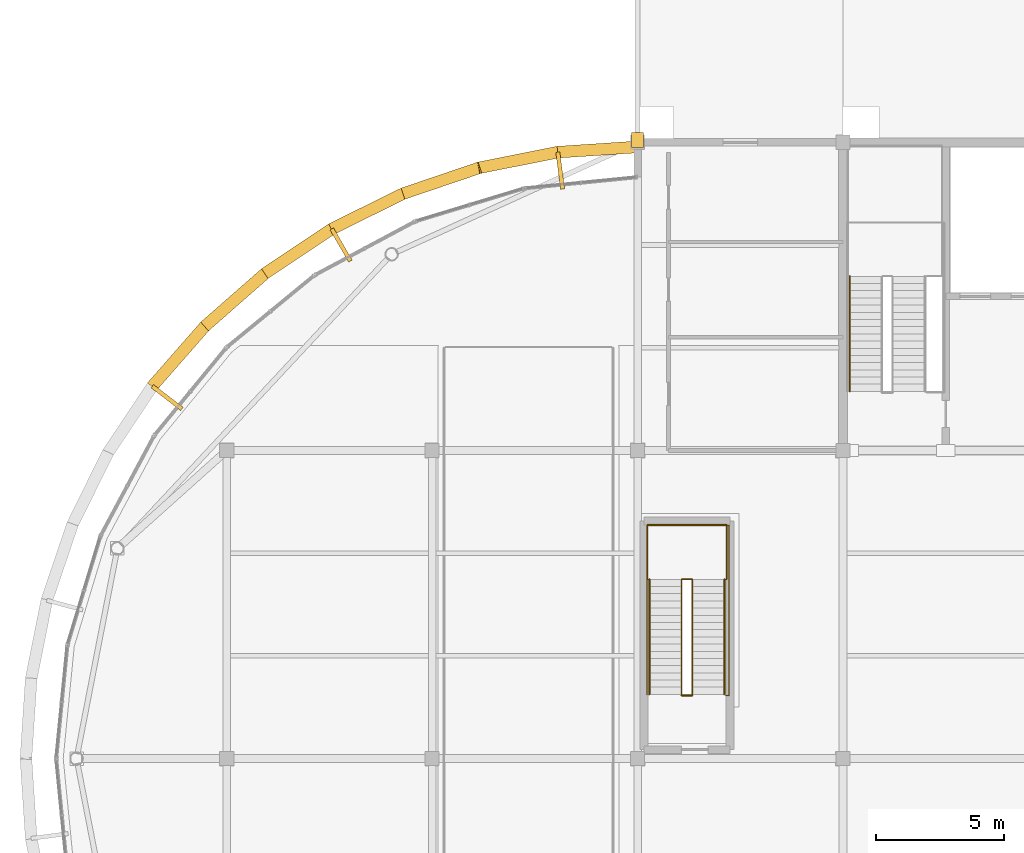
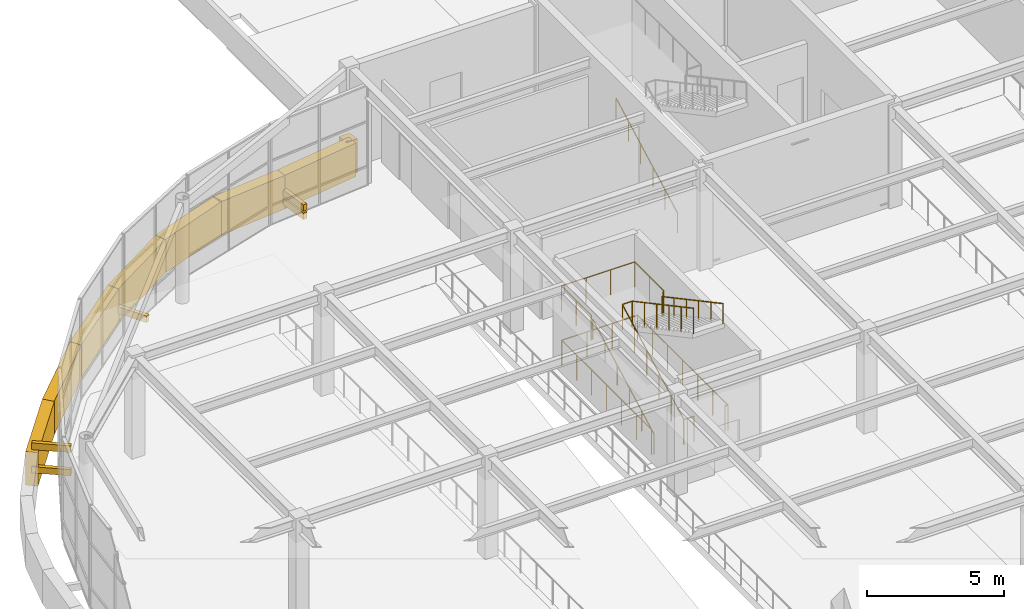
# One storey, part 63 of 72: 13 coverings, 7 railings.
"""IFC4 building model written with IfcOpenShell, lengths in metres."""

from ifc_helpers import new_model, si_unit, direction, frame, frame_2d, origin, origin_2d, place, context, subcontext, project, spatial, polyline, rectangle, circle, outline, extrude, material, layer, layer_set, type_object, element, save


model = new_model("IFC4")

# Units and contexts
model_context = context("Model", 3, precision=1e-05, world=origin(), true_north=direction((0.0, 1.0)))
body_context = subcontext(model_context, "Body", "Model", "MODEL_VIEW")
ifc_project = project(units=[si_unit("LENGTHUNIT", "METRE"), si_unit("AREAUNIT", "SQUARE_METRE"), si_unit("VOLUMEUNIT", "CUBIC_METRE"), si_unit("PLANEANGLEUNIT", "RADIAN"), si_unit("MASSUNIT", "GRAM", prefix="KILO")], contexts=[model_context])

# Site, building, storey
site_placement = place(None, origin())
site = spatial("IfcSite", under=ifc_project, at=site_placement, CompositionType="ELEMENT")
building_placement = place(site_placement, origin())
building = spatial("IfcBuilding", under=site, at=building_placement, Name="Keelwater Ferry Terminal", CompositionType="ELEMENT")
storey_placement = place(building_placement, frame((0.0, 0.0, 5.39990234375)))
storey = spatial("IfcBuildingStorey", under=building, at=storey_placement, Name="L01", CompositionType="ELEMENT", Elevation=5.39990234375)

# Railings
ifc_material_1 = material(Name="Painted Steel S355", Category="steel")
railing_type_1 = type_object("IfcRailingType", Name="GR-115 Stair Well Guardrail", PredefinedType="GUARDRAIL", material=ifc_material_1)
railing_1_placement = place(storey_placement, frame((25.7099609375, 68.4599609375, 0.0)))
element("IfcRailing", 1, at=railing_1_placement, inside=storey, type_object=railing_type_1, Name="Stair ST-W6-L00 Slot Threshold Guard 108", PredefinedType="GUARDRAIL", context=body_context, shape_type="SweptSolid", body=[
    extrude(circle(Radius=0.02392578125, at=origin_2d()), frame((0.0, 0.0, 1.1259765625), z_axis=(1.0, 0.0, 0.0), x_axis=(0.0, 1.0, 0.0)), (0.0, 0.0, 1.0), 0.419921875),
    extrude(circle(Radius=0.02099609375, at=origin_2d()), origin(), (0.0, 0.0, 1.0), 1.101806640625),
    extrude(circle(Radius=0.02099609375, at=origin_2d()), frame((0.419921875, 0.0, 0.0)), (0.0, 0.0, 1.0), 1.101806640625),
])
railing_2_placement = place(storey_placement, frame((24.360107421875, 68.5, 0.0)))
element("IfcRailing", 2, at=railing_2_placement, inside=storey, type_object=railing_type_1, Name="Stair ST-W6-L00 Shaft Perimeter Guard 109", PredefinedType="GUARDRAIL", context=body_context, shape_type="SweptSolid", body=[
    extrude(circle(Radius=0.02392578125, at=origin_2d()), frame((0.0, 0.0, 1.1259765625), z_axis=(0.0, 1.0, 0.0), x_axis=(-1.0, 0.0, 0.0)), (0.0, 0.0, 1.0), 6.580078125),
    extrude(circle(Radius=0.02392578125, at=origin_2d()), frame((0.0, 6.580078125, 1.1259765625), z_axis=(1.0, 0.0, 0.0), x_axis=(0.0, 1.0, 0.0)), (0.0, 0.0, 1.0), 3.199951171875),
    extrude(circle(Radius=0.02392578125, at=origin_2d()), frame((3.199951171875, 6.580078125, 1.1259765625), z_axis=(0.0, -1.0, 0.0), x_axis=(1.0, 0.0, 0.0)), (0.0, 0.0, 1.0), 6.6201171875),
    extrude(circle(Radius=0.02392578125, at=origin_2d()), frame((3.199951171875, -0.0400390625, 1.1259765625), z_axis=(-1.0, 0.0, 0.0), x_axis=(0.0, -1.0, 0.0)), (0.0, 0.0, 1.0), 0.1201171875),
    extrude(circle(Radius=0.02099609375, at=origin_2d()), origin(), (0.0, 0.0, 1.0), 1.101806640625),
    extrude(circle(Radius=0.02099609375, at=origin_2d()), frame((0.0, 1.0966796875, 0.0)), (0.0, 0.0, 1.0), 1.101806640625),
    extrude(circle(Radius=0.02099609375, at=origin_2d()), frame((0.0, 2.193359375, 0.0)), (0.0, 0.0, 1.0), 1.101806640625),
    extrude(circle(Radius=0.02099609375, at=origin_2d()), frame((0.0, 3.2900390625, 0.0)), (0.0, 0.0, 1.0), 1.101806640625),
    extrude(circle(Radius=0.02099609375, at=origin_2d()), frame((0.0, 4.38671875, 0.0)), (0.0, 0.0, 1.0), 1.101806640625),
    extrude(circle(Radius=0.02099609375, at=origin_2d()), frame((0.0, 5.4833984375, 0.0)), (0.0, 0.0, 1.0), 1.101806640625),
    extrude(circle(Radius=0.02099609375, at=origin_2d()), frame((0.0, 6.580078125, 0.0)), (0.0, 0.0, 1.0), 1.101806640625),
    extrude(circle(Radius=0.02099609375, at=origin_2d()), frame((1.066650390625, 6.580078125, 0.0)), (0.0, 0.0, 1.0), 1.101806640625),
    extrude(circle(Radius=0.02099609375, at=origin_2d()), frame((2.13330078125, 6.580078125, 0.0)), (0.0, 0.0, 1.0), 1.101806640625),
    extrude(circle(Radius=0.02099609375, at=origin_2d()), frame((3.199951171875, 6.580078125, 0.0)), (0.0, 0.0, 1.0), 1.101806640625),
    extrude(circle(Radius=0.02099609375, at=origin_2d()), frame((3.199951171875, 5.476806640625, 0.0)), (0.0, 0.0, 1.0), 1.101806640625),
    extrude(circle(Radius=0.02099609375, at=origin_2d()), frame((3.199951171875, 4.373291015625, 0.0)), (0.0, 0.0, 1.0), 1.101806640625),
    extrude(circle(Radius=0.02099609375, at=origin_2d()), frame((3.199951171875, 3.27001953125, 0.0)), (0.0, 0.0, 1.0), 1.101806640625),
    extrude(circle(Radius=0.02099609375, at=origin_2d()), frame((3.199951171875, 2.166748046875, 0.0)), (0.0, 0.0, 1.0), 1.101806640625),
    extrude(circle(Radius=0.02099609375, at=origin_2d()), frame((3.199951171875, 1.063232421875, 0.0)), (0.0, 0.0, 1.0), 1.101806640625),
    extrude(circle(Radius=0.02099609375, at=origin_2d()), frame((3.199951171875, -0.0400390625, 0.0)), (0.0, 0.0, 1.0), 1.101806640625),
    extrude(circle(Radius=0.02099609375, at=origin_2d()), frame((3.079833984375, -0.0400390625, 0.0)), (0.0, 0.0, 1.0), 1.101806640625),
])
railing_3_placement = place(storey_placement, frame((25.7099609375, 68.5, 0.0)))
element("IfcRailing", 3, at=railing_3_placement, inside=storey, type_object=railing_type_1, Name="Stair ST-W6-L01 Inner Well Guard 110", PredefinedType="GUARDRAIL", context=body_context, shape_type="SweptSolid", body=[
    extrude(circle(Radius=0.02392578125, at=origin_2d()), frame((0.0, 0.0, 1.1259765625), z_axis=(0.0, 0.881467115574, 0.472245406714), x_axis=(-1.0, 0.0, 0.0)), (0.0, 0.0, 1.0), 5.08251953125),
    extrude(circle(Radius=0.02392578125, at=origin_2d()), frame((0.0, 4.47998046875, 3.52587890625), z_axis=(1.0, 0.0, 0.0), x_axis=(0.0, 1.0, 0.0)), (0.0, 0.0, 1.0), 0.419921875),
    extrude(circle(Radius=0.02392578125, at=origin_2d()), frame((0.419921875, 4.47998046875, 3.52587890625), z_axis=(0.0, -0.881487111273, 0.472208081951), x_axis=(1.0, 0.0, 0.0)), (0.0, 0.0, 1.0), 5.082275390625),
    extrude(circle(Radius=0.02099609375, at=origin_2d()), origin(), (0.0, 0.0, 1.0), 1.101806640625),
    extrude(circle(Radius=0.02099609375, at=origin_2d()), frame((0.0, 0.89599609375, 0.47998046875)), (0.0, 0.0, 1.0), 1.101806640625),
    extrude(circle(Radius=0.02099609375, at=origin_2d()), frame((0.0, 1.7919921875, 0.9599609375)), (0.0, 0.0, 1.0), 1.101806640625),
    extrude(circle(Radius=0.02099609375, at=origin_2d()), frame((0.0, 2.68798828125, 1.440185546875)), (0.0, 0.0, 1.0), 1.101806640625),
    extrude(circle(Radius=0.02099609375, at=origin_2d()), frame((0.0, 3.583984375, 1.920166015625)), (0.0, 0.0, 1.0), 1.101806640625),
    extrude(circle(Radius=0.02099609375, at=origin_2d()), frame((0.0, 4.47998046875, 2.400146484375)), (0.0, 0.0, 1.0), 1.101806640625),
    extrude(circle(Radius=0.02099609375, at=origin_2d()), frame((0.419921875, 4.47998046875, 2.400146484375)), (0.0, 0.0, 1.0), 1.101806640625),
    extrude(circle(Radius=0.02099609375, at=origin_2d()), frame((0.419921875, 3.583984375, 2.880126953125)), (0.0, 0.0, 1.0), 1.101806640625),
    extrude(circle(Radius=0.02099609375, at=origin_2d()), frame((0.419921875, 2.68798828125, 3.360107421875)), (0.0, 0.0, 1.0), 1.101806640625),
    extrude(circle(Radius=0.02099609375, at=origin_2d()), frame((0.419921875, 1.7919921875, 3.840087890625)), (0.0, 0.0, 1.0), 1.101806640625),
    extrude(circle(Radius=0.02099609375, at=origin_2d()), frame((0.419921875, 0.89599609375, 4.320068359375)), (0.0, 0.0, 1.0), 1.101806640625),
    extrude(circle(Radius=0.02099609375, at=origin_2d()), frame((0.419921875, 0.0, 4.800048828125)), (0.0, 0.0, 1.0), 1.101806640625),
])
railing_4_placement = place(storey_placement, frame((24.39990234375, 72.97998046875, 2.400146484375)))
element("IfcRailing", 4, at=railing_4_placement, inside=storey, type_object=railing_type_1, Name="Stair ST-W6-L01 Half-Landing Guard 111", PredefinedType="GUARDRAIL", context=body_context, shape_type="SweptSolid", body=[
    extrude(circle(Radius=0.02392578125, at=origin_2d()), frame((0.0, 0.0, 1.1259765625), z_axis=(-1.0, 0.0, 0.0), x_axis=(0.0, -1.0, 0.0)), (0.0, 0.0, 1.0), 0.02001953125),
    extrude(circle(Radius=0.02392578125, at=origin_2d()), frame((-0.02001953125, 0.0, 1.1259765625), z_axis=(0.0, 1.0, 0.0), x_axis=(-1.0, 0.0, 0.0)), (0.0, 0.0, 1.0), 2.14013671875),
    extrude(circle(Radius=0.02392578125, at=origin_2d()), frame((-0.02001953125, 2.14013671875, 1.1259765625), z_axis=(1.0, 0.0, 0.0), x_axis=(0.0, 1.0, 0.0)), (0.0, 0.0, 1.0), 3.090087890625),
    extrude(circle(Radius=0.02392578125, at=origin_2d()), frame((3.070068359375, 2.14013671875, 1.1259765625), z_axis=(0.0, -1.0, 0.0), x_axis=(1.0, 0.0, 0.0)), (0.0, 0.0, 1.0), 2.14013671875),
    extrude(circle(Radius=0.02392578125, at=origin_2d()), frame((3.070068359375, 0.0, 1.1259765625), z_axis=(-1.0, 0.0, 0.0), x_axis=(0.0, -1.0, 0.0)), (0.0, 0.0, 1.0), 0.030029296875),
    extrude(circle(Radius=0.02099609375, at=origin_2d()), origin(), (0.0, 0.0, 1.0), 1.101806640625),
    extrude(circle(Radius=0.02099609375, at=origin_2d()), frame((-0.02001953125, 0.0, 0.0)), (0.0, 0.0, 1.0), 1.101806640625),
    extrude(circle(Radius=0.02099609375, at=origin_2d()), frame((-0.02001953125, 1.070068359375, 0.0)), (0.0, 0.0, 1.0), 1.101806640625),
    extrude(circle(Radius=0.02099609375, at=origin_2d()), frame((-0.02001953125, 2.14013671875, 0.0)), (0.0, 0.0, 1.0), 1.101806640625),
    extrude(circle(Radius=0.02099609375, at=origin_2d()), frame((1.010009765625, 2.14013671875, 0.0)), (0.0, 0.0, 1.0), 1.101806640625),
    extrude(circle(Radius=0.02099609375, at=origin_2d()), frame((2.0400390625, 2.14013671875, 0.0)), (0.0, 0.0, 1.0), 1.101806640625),
    extrude(circle(Radius=0.02099609375, at=origin_2d()), frame((3.070068359375, 2.14013671875, 0.0)), (0.0, 0.0, 1.0), 1.101806640625),
    extrude(circle(Radius=0.02099609375, at=origin_2d()), frame((3.070068359375, 1.070068359375, 0.0)), (0.0, 0.0, 1.0), 1.101806640625),
    extrude(circle(Radius=0.02099609375, at=origin_2d()), frame((3.070068359375, 0.0, 0.0)), (0.0, 0.0, 1.0), 1.101806640625),
    extrude(circle(Radius=0.02099609375, at=origin_2d()), frame((3.0400390625, 0.0, 0.0)), (0.0, 0.0, 1.0), 1.101806640625),
])
ifc_material_2 = material(Name="Brushed stainless steel handrail", Category="steel")
railing_type_2 = type_object("IfcRailingType", Name="HR-920 Stair Pitch Handrail", PredefinedType="HANDRAIL", material=ifc_material_2)
for number, where, name in (
    (5, (32.260009765625, 80.300048828125, 0.0), "Stair ST-C1-L01 Flight 1 Handrail 9"),
    (6, (24.4599609375, 68.5, 0.0), "Stair ST-W6-L01 Flight 1 Handrail 112"),
):
    element("IfcRailing", number, at=place(storey_placement, frame(where)), inside=storey, type_object=railing_type_2, Name=name, PredefinedType="HANDRAIL", context=body_context, shape_type="SweptSolid", body=[
        extrude(circle(Radius=0.02392578125, at=origin_2d()), frame((0.0, 0.0, 0.89599609375), z_axis=(0.0, 0.881467115574, 0.472245406714), x_axis=(-1.0, 0.0, 0.0)), (0.0, 0.0, 1.0), 5.08251953125),
        extrude(circle(Radius=0.02099609375, at=origin_2d()), origin(), (0.0, 0.0, 1.0), 0.871826171875),
        extrude(circle(Radius=0.02099609375, at=origin_2d()), frame((0.0, 0.89599609375, 0.47998046875)), (0.0, 0.0, 1.0), 0.871826171875),
        extrude(circle(Radius=0.02099609375, at=origin_2d()), frame((0.0, 1.7919921875, 0.9599609375)), (0.0, 0.0, 1.0), 0.871826171875),
        extrude(circle(Radius=0.02099609375, at=origin_2d()), frame((0.0, 2.68798828125, 1.440185546875)), (0.0, 0.0, 1.0), 0.871826171875),
        extrude(circle(Radius=0.02099609375, at=origin_2d()), frame((0.0, 3.583984375, 1.920166015625)), (0.0, 0.0, 1.0), 0.871826171875),
        extrude(circle(Radius=0.02099609375, at=origin_2d()), frame((0.0, 4.47998046875, 2.400146484375)), (0.0, 0.0, 1.0), 0.871826171875),
    ])
railing_5_placement = place(storey_placement, frame((27.3798828125, 72.97998046875, 2.400146484375)))
element("IfcRailing", 7, at=railing_5_placement, inside=storey, type_object=railing_type_2, Name="Stair ST-W6-L01 Flight 2 Handrail 113", PredefinedType="HANDRAIL", context=body_context, shape_type="SweptSolid", body=[
    extrude(circle(Radius=0.02392578125, at=origin_2d()), frame((0.0, 0.0, 0.89599609375), z_axis=(0.0, -0.881487111273, 0.472208081951), x_axis=(1.0, 0.0, 0.0)), (0.0, 0.0, 1.0), 5.082275390625),
    extrude(circle(Radius=0.02099609375, at=origin_2d()), origin(), (0.0, 0.0, 1.0), 0.871826171875),
    extrude(circle(Radius=0.02099609375, at=origin_2d()), frame((0.0, -0.89599609375, 0.47998046875)), (0.0, 0.0, 1.0), 0.871826171875),
    extrude(circle(Radius=0.02099609375, at=origin_2d()), frame((0.0, -1.7919921875, 0.9599609375)), (0.0, 0.0, 1.0), 0.871826171875),
    extrude(circle(Radius=0.02099609375, at=origin_2d()), frame((0.0, -2.68798828125, 1.43994140625)), (0.0, 0.0, 1.0), 0.871826171875),
    extrude(circle(Radius=0.02099609375, at=origin_2d()), frame((0.0, -3.583984375, 1.919921875)), (0.0, 0.0, 1.0), 0.871826171875),
    extrude(circle(Radius=0.02099609375, at=origin_2d()), frame((0.0, -4.47998046875, 2.39990234375)), (0.0, 0.0, 1.0), 0.871826171875),
])

# Coverings
ifc_material_3 = material(Name="Matte white architectural aluminium fascia ribbon", Category="aluminium")
ifc_layer = layer(ifc_material_3, 0.1201171875)
ifc_layer_set = layer_set([ifc_layer], Name="Matte white architectural aluminium fascia ribbon")
covering_type = type_object("IfcCoveringType", Name="RB-WHT Matte White Fascia Ribbon", PredefinedType="CLADDING", material=ifc_layer_set)
covering_1_placement = place(storey_placement, frame((24.0, 90.375, -0.348876953125), z_axis=(0.0, 0.0, 1.0), x_axis=(0.0, -1.0, 0.0)))
element("IfcCovering", 8, at=covering_1_placement, inside=storey, type_object=covering_type, Name="Concourse Lower Wave Fascia Ribbon 156", PredefinedType="CLADDING", context=body_context, shape_type="SweptSolid", body=[
    extrude(outline(polyline([(0.0, 0.0), (0.580078125, 0.097900390625), (0.580078125, 1.597900390625), (0.0, 1.5), (0.0, 0.0)])), frame((0.0, 0.22998046875, 0.0), z_axis=(0.0, -1.0, 0.0), x_axis=(1.0, 0.0, 0.0)), (0.0, 0.0, 1.0), 0.4599609375),
])
covering_2_placement = place(storey_placement, frame((24.02490234375, 89.822021484375, -0.48291015625), z_axis=(0.0, 0.0, 1.0), x_axis=(-0.997839082041, -0.065705147067, 0.0)))
element("IfcCovering", 9, at=covering_2_placement, inside=storey, type_object=covering_type, Name="Concourse Lower Wave Fascia Ribbon 160", PredefinedType="CLADDING", context=body_context, shape_type="SweptSolid", body=[
    extrude(outline(polyline([(0.0, 0.23193359375), (3.165771484375, 0.0), (3.165771484375, 1.5), (0.0, 1.73193359375), (0.0, 0.23193359375)])), frame((0.0, 0.22998046875, 0.0), z_axis=(0.0, -1.0, 0.0), x_axis=(1.0, 0.0, 0.0)), (0.0, 0.0, 1.0), 0.4599609375),
])
covering_3_placement = place(storey_placement, frame((20.916015625, 89.62109375, -0.48291015625), z_axis=(0.0, 0.0, 1.0), x_axis=(-0.98076407959, -0.195196875454, 0.0)))
element("IfcCovering", 10, at=covering_3_placement, inside=storey, type_object=covering_type, Name="Concourse Lower Wave Fascia Ribbon 164", PredefinedType="CLADDING", context=body_context, shape_type="SweptSolid", body=[
    extrude(outline(polyline([(0.0, 0.0), (3.1669921875, 0.258056640625), (3.1669921875, 1.758056640625), (0.0, 1.5), (0.0, 0.0)])), frame((0.0, 0.22998046875, 0.0), z_axis=(0.0, -1.0, 0.0), x_axis=(1.0, 0.0, 0.0)), (0.0, 0.0, 1.0), 0.4599609375),
])
covering_4_placement = place(storey_placement, frame((20.89111328125, 89.615966796875, 0.127197265625), z_axis=(0.0, 0.0, 1.0), x_axis=(0.130289043397, -0.991476053756, 0.0)))
element("IfcCovering", 11, at=covering_4_placement, inside=storey, type_object=covering_type, Name="Ribbon Horizontal Tie Bracket 168", PredefinedType="CLADDING", context=body_context, shape_type="SweptSolid", body=[
    extrude(rectangle(XDim=1.450439453125, YDim=0.159912109375, at=frame_2d((0.72509765625, 0.0))), origin(), (0.0, 0.0, 1.0), 0.27978515625),
])
covering_5_placement = place(storey_placement, frame((20.89111328125, 89.615966796875, -0.25), z_axis=(0.0, 0.0, 1.0), x_axis=(0.130289043397, -0.991476053756, 0.0)))
element("IfcCovering", 12, at=covering_5_placement, inside=storey, type_object=covering_type, Name="Ribbon Slab Tie Bracket 170", PredefinedType="CLADDING", context=body_context, shape_type="SweptSolid", body=[
    extrude(rectangle(XDim=1.450439453125, YDim=0.159912109375, at=frame_2d((0.72509765625, 0.0))), origin(), (0.0, 0.0, 1.0), 0.300048828125),
])
covering_6_placement = place(storey_placement, frame((17.85888671875, 89.01611328125, -0.27978515625), z_axis=(0.0, 0.0, 1.0), x_axis=(-0.94701262585, -0.321196336342, 0.0)))
element("IfcCovering", 13, at=covering_6_placement, inside=storey, type_object=covering_type, Name="Concourse Lower Wave Fascia Ribbon 175", PredefinedType="CLADDING", context=body_context, shape_type="SweptSolid", body=[
    extrude(outline(polyline([(0.0, 0.054931640625), (3.16650390625, 0.0), (3.16650390625, 1.5), (0.0, 1.554931640625), (0.0, 0.054931640625)])), frame((0.0, 0.22998046875, 0.0), z_axis=(0.0, -1.0, 0.0), x_axis=(1.0, 0.0, 0.0)), (0.0, 0.0, 1.0), 0.4599609375),
])
covering_7_placement = place(storey_placement, frame((14.906005859375, 88.01806640625, -0.677978515625), z_axis=(0.0, 0.0, 1.0), x_axis=(-0.896790782987, -0.442454846905, 0.0)))
element("IfcCovering", 14, at=covering_7_placement, inside=storey, type_object=covering_type, Name="Concourse Lower Wave Fascia Ribbon 179", PredefinedType="CLADDING", context=body_context, shape_type="SweptSolid", body=[
    extrude(outline(polyline([(0.0, 0.398193359375), (3.16455078125, 0.0), (3.16455078125, 1.5), (0.0, 1.898193359375), (0.0, 0.398193359375)])), frame((0.0, 0.22998046875, 0.0), z_axis=(0.0, -1.0, 0.0), x_axis=(1.0, 0.0, 0.0)), (0.0, 0.0, 1.0), 0.4599609375),
])
covering_8_placement = place(storey_placement, frame((12.111083984375, 86.64306640625, -1.240966796875), z_axis=(0.0, 0.0, 1.0), x_axis=(-0.831516144614, -0.55550058618, 0.0)))
element("IfcCovering", 15, at=covering_8_placement, inside=storey, type_object=covering_type, Name="Concourse Lower Wave Fascia Ribbon 183", PredefinedType="CLADDING", context=body_context, shape_type="SweptSolid", body=[
    extrude(outline(polyline([(0.0, 0.56298828125), (3.16650390625, 0.0), (3.16650390625, 1.5), (0.0, 2.06298828125), (0.0, 0.56298828125)])), frame((0.0, 0.22998046875, 0.0), z_axis=(0.0, -1.0, 0.0), x_axis=(1.0, 0.0, 0.0)), (0.0, 0.0, 1.0), 0.4599609375),
])
covering_9_placement = place(storey_placement, frame((12.090087890625, 86.62890625, -0.25), z_axis=(0.0, 0.0, 1.0), x_axis=(0.499887636653, -0.866090267075, 0.0)))
element("IfcCovering", 16, at=covering_9_placement, inside=storey, type_object=covering_type, Name="Ribbon Slab Tie Bracket 189", PredefinedType="CLADDING", context=body_context, shape_type="SweptSolid", body=[
    extrude(rectangle(XDim=1.449951171875, YDim=0.159912109375, at=frame_2d((0.72509765625, 0.0))), origin(), (0.0, 0.0, 1.0), 0.300048828125),
])
covering_10_placement = place(storey_placement, frame((9.51806640625, 84.9140625, -1.718994140625), z_axis=(0.0, 0.0, 1.0), x_axis=(-0.75186441018, -0.65931776004, 0.0)))
element("IfcCovering", 17, at=covering_10_placement, inside=storey, type_object=covering_type, Name="Concourse Lower Wave Fascia Ribbon 194", PredefinedType="CLADDING", context=body_context, shape_type="SweptSolid", body=[
    extrude(outline(polyline([(0.0, 0.47802734375), (3.16552734375, 0.0), (3.16552734375, 1.5), (0.0, 1.97802734375), (0.0, 0.47802734375)])), frame((0.0, 0.22998046875, 0.0), z_axis=(0.0, -1.0, 0.0), x_axis=(1.0, 0.0, 0.0)), (0.0, 0.0, 1.0), 0.4599609375),
])
covering_11_placement = place(storey_placement, frame((7.173095703125, 82.862060546875, -1.89990234375), z_axis=(0.0, 0.0, 1.0), x_axis=(-0.65931776004, -0.75186441018, 0.0)))
element("IfcCovering", 18, at=covering_11_placement, inside=storey, type_object=covering_type, Name="Concourse Lower Wave Fascia Ribbon 198", PredefinedType="CLADDING", context=body_context, shape_type="SweptSolid", body=[
    extrude(outline(polyline([(0.0, 0.180908203125), (3.16552734375, 0.0), (3.16552734375, 1.5), (0.0, 1.680908203125), (0.0, 0.180908203125)])), frame((0.0, 0.22998046875, 0.0), z_axis=(0.0, -1.0, 0.0), x_axis=(1.0, 0.0, 0.0)), (0.0, 0.0, 1.0), 0.4599609375),
])
covering_12_placement = place(storey_placement, frame((5.10205078125, 80.5009765625, -1.289794921875), z_axis=(0.0, 0.0, 1.0), x_axis=(0.793118257484, -0.609067672467, 0.0)))
element("IfcCovering", 19, at=covering_12_placement, inside=storey, type_object=covering_type, Name="Ribbon Horizontal Tie Bracket 206", PredefinedType="CLADDING", context=body_context, shape_type="SweptSolid", body=[
    extrude(rectangle(XDim=1.449951171875, YDim=0.159912109375, at=frame_2d((0.72509765625, 0.0))), origin(), (0.0, 0.0, 1.0), 0.27978515625),
])
covering_13_placement = place(storey_placement, frame((5.10205078125, 80.5009765625, -0.25), z_axis=(0.0, 0.0, 1.0), x_axis=(0.793118257484, -0.609067672467, 0.0)))
element("IfcCovering", 20, at=covering_13_placement, inside=storey, type_object=covering_type, Name="Ribbon Slab Tie Bracket 209", PredefinedType="CLADDING", context=body_context, shape_type="SweptSolid", body=[
    extrude(rectangle(XDim=1.449951171875, YDim=0.159912109375, at=frame_2d((0.72509765625, 0.0))), origin(), (0.0, 0.0, 1.0), 0.300048828125),
])

save(model, "model.ifc")
